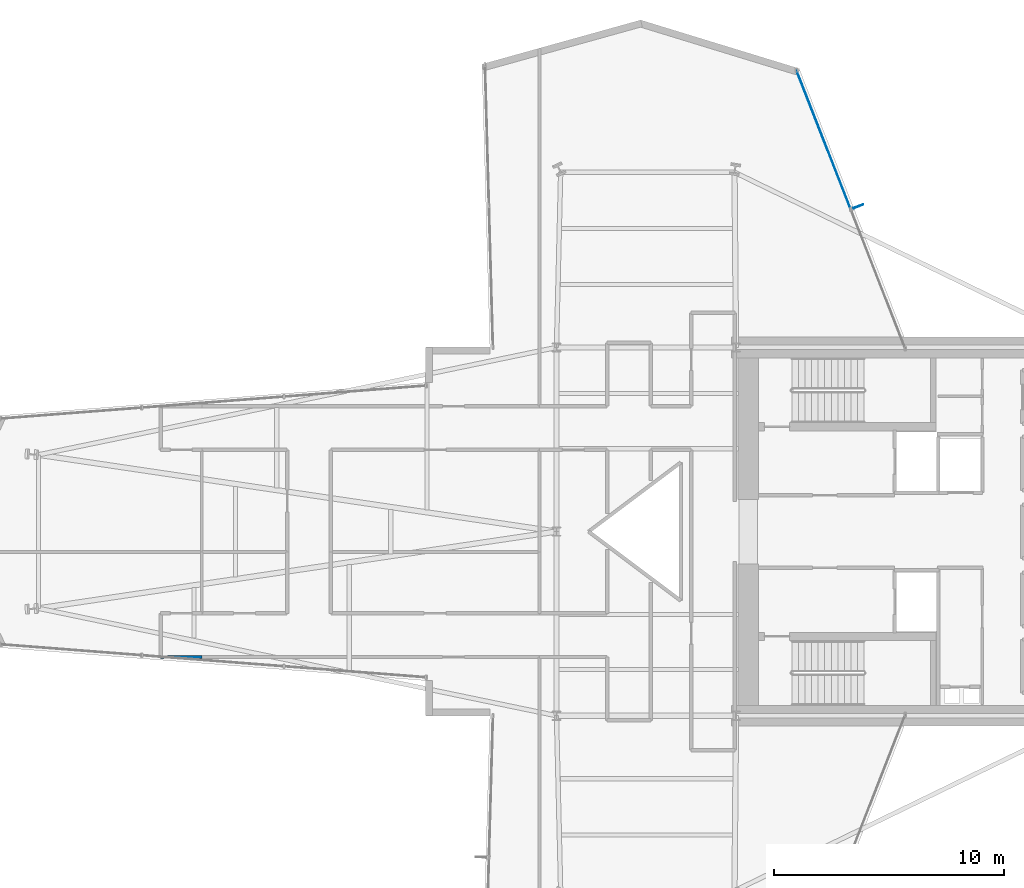
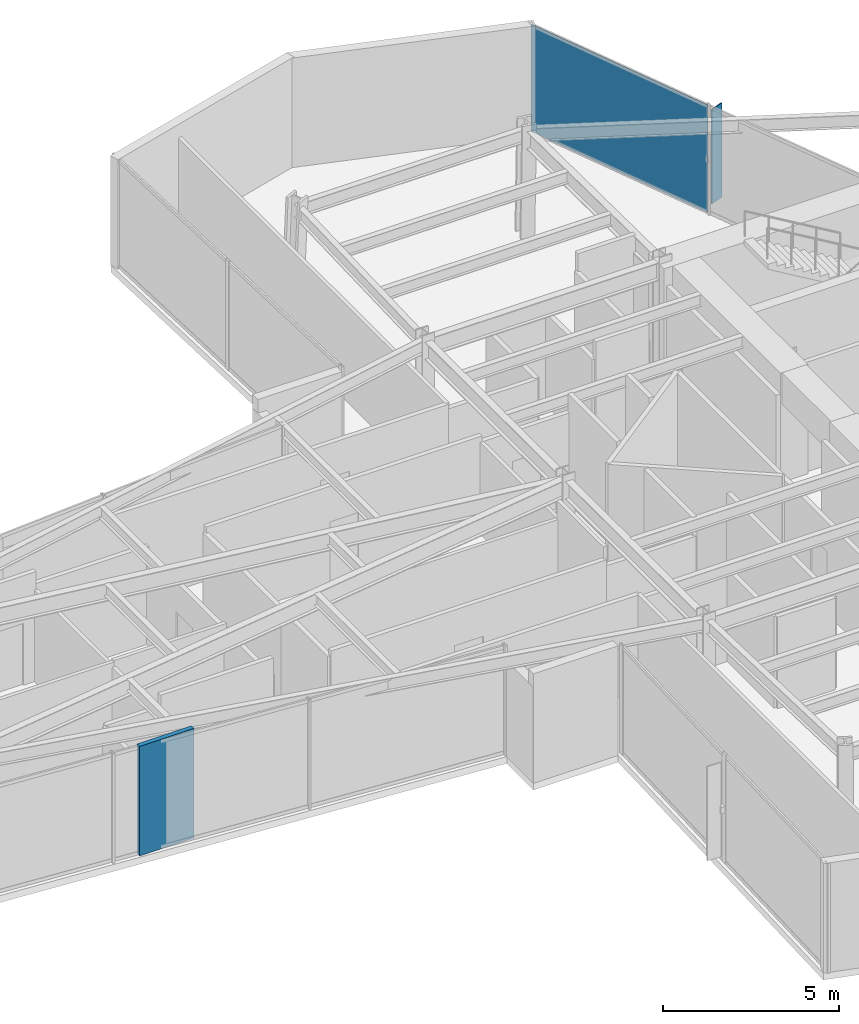
# One storey, part 25 of 29: 2 plates, 1 wall, 1 element without a shape of its own.
"""IFC4 building model written with IfcOpenShell, lengths in metres."""

from ifc_helpers import new_model, si_unit, direction, frame, frame_2d, origin, origin_2d, place, context, subcontext, project, spatial, rectangle, extrude, material, layer, layer_set, type_object, element, aggregate, save


model = new_model("IFC4")

# Units and contexts
model_context = context("Model", 3, precision=1e-05, world=origin(), true_north=direction((0.0, 1.0)))
body_context = subcontext(model_context, "Body", "Model", "MODEL_VIEW")
ifc_project = project(units=[si_unit("LENGTHUNIT", "METRE"), si_unit("AREAUNIT", "SQUARE_METRE"), si_unit("VOLUMEUNIT", "CUBIC_METRE"), si_unit("PLANEANGLEUNIT", "RADIAN"), si_unit("MASSUNIT", "GRAM", prefix="KILO")], contexts=[model_context])

# Site, building, storey
site_placement = place(None, origin())
site = spatial("IfcSite", under=ifc_project, at=site_placement, CompositionType="ELEMENT")
building_placement = place(site_placement, origin())
building = spatial("IfcBuilding", under=site, at=building_placement, Name="Veymaron Broadcast Tower", CompositionType="ELEMENT")
storey_placement = place(building_placement, frame((0.0, 0.0, 58.050048828125)))
storey = spatial("IfcBuildingStorey", under=building, at=storey_placement, Name="L12", CompositionType="ELEMENT", Elevation=58.050048828125)

# Curtain wall, plate
ifc_material_1 = material(Name="Anodised aluminium AA 6063-T6 and laminated low-E dark glass", Category="aluminium")
ifc_layer_1 = layer(ifc_material_1, 0.179931640625)
ifc_layer_set_1 = layer_set([ifc_layer_1], Name="Anodised aluminium AA 6063-T6 and laminated low-E dark glass")
curtain_wall_type = type_object("IfcCurtainWallType", Name="CW-SYS-02", PredefinedType="NOTDEFINED", material=ifc_layer_set_1)
curtain_wall_placement = place(storey_placement, origin())
curtain_wall = element("IfcCurtainWall", 1, at=curtain_wall_placement, inside=storey, type_object=curtain_wall_type, Name="L12 dark-glass curtain wall CW-L12-E5-1", PredefinedType="NOTDEFINED")
ifc_material_2 = material(Name="Double-silver solar-control dark glass IGU 32 mm", Category="glass")
ifc_layer_2 = layer(ifc_material_2, 0.031982421875)
ifc_layer_set_2 = layer_set([ifc_layer_2], Name="Double-silver solar-control dark glass IGU 32 mm")
plate_type_1 = type_object("IfcPlateType", Name="CW-PNL-02", PredefinedType="CURTAIN_PANEL", material=ifc_layer_set_2)
plate_1_placement = place(storey_placement, frame((42.8056640625, 41.027099609375, 0.0400390625), z_axis=(0.0, 0.0, 1.0), x_axis=(-0.36429171273, 0.931284890909, 0.0)))
plate_1 = element("IfcPlate", 2, at=plate_1_placement, type_object=plate_type_1, Name="CW-L12-E5-1 unitised curtain panel 1", PredefinedType="CURTAIN_PANEL", context=body_context, shape_type="SweptSolid", body=[
    extrude(rectangle(XDim=6.4384765625, YDim=0.031982421875, at=origin_2d()), origin(), (0.0, 0.0, 1.0), 3.72998046875),
])
aggregate(curtain_wall, [plate_1])

# Plate
ifc_material_3 = material(Name="Dark-anodised aluminium AA 6061-T6", Category="aluminium")
ifc_layer_3 = layer(ifc_material_3, 0.034912109375)
ifc_layer_set_3 = layer_set([ifc_layer_3], Name="Dark-anodised aluminium AA 6061-T6")
plate_type_2 = type_object("IfcPlateType", Name="FIN-CHEV-01", PredefinedType="USERDEFINED", material=ifc_layer_set_3)
plate_2_placement = place(storey_placement, frame((44.320068359375, 38.13037109375, 0.2666015625), z_axis=(0.0, 0.0, 1.0), x_axis=(0.931284890909, 0.36429171273, 0.0)))
element("IfcPlate", 3, at=plate_2_placement, inside=storey, type_object=plate_type_2, Name="CW-L12-E5-1 chevron fin 1", ObjectType="FIN", PredefinedType="USERDEFINED", context=body_context, shape_type="SweptSolid", body=[
    extrude(rectangle(XDim=0.449951171875, YDim=0.034912109375, at=origin_2d()), origin(), (0.0, 0.0, 1.0), 3.276611328125),
])

# Wall
ifc_material_4 = material(Name="Gypsum fireboard and steel stud framing", Category="steel")
ifc_layer_4 = layer(ifc_material_4, 0.14990234375)
ifc_layer_set_4 = layer_set([ifc_layer_4], Name="Gypsum fireboard and steel stud framing")
wall_type = type_object("IfcWallType", Name="WALL-FIRE-150", PredefinedType="PARTITIONING", material=ifc_layer_set_4)
wall_placement = place(storey_placement, frame((14.0, 18.550048828125, 0.0), z_axis=(0.0, 0.0, 1.0), x_axis=(1.0, 0.0, 0.0)))
element("IfcWall", 4, at=wall_placement, inside=storey, type_object=wall_type, Name="L12 partition IW-L12-P12", PredefinedType="PARTITIONING", context=body_context, shape_type="SweptSolid", body=[
    extrude(rectangle(XDim=1.7939453125, YDim=0.14990234375, at=frame_2d((0.89697265625, 0.0))), origin(), (0.0, 0.0, 1.0), 3.81005859375),
])

save(model, "model.ifc")
